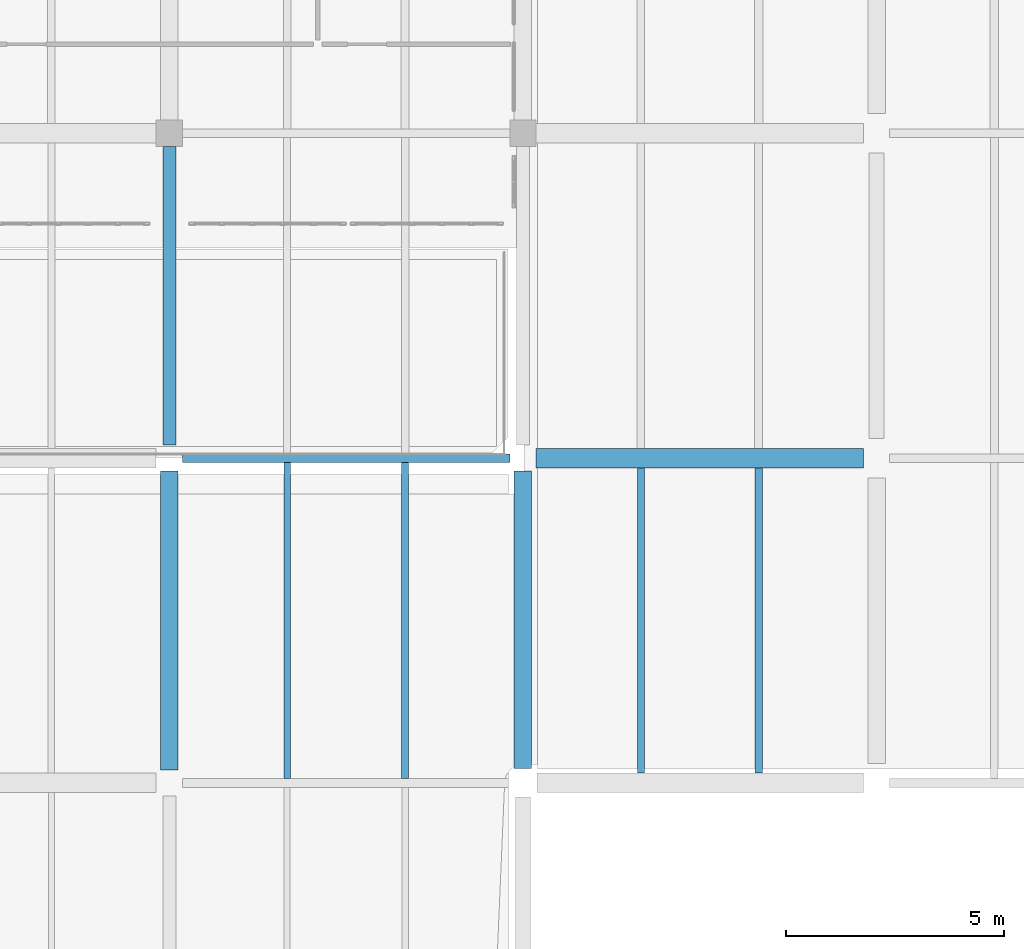
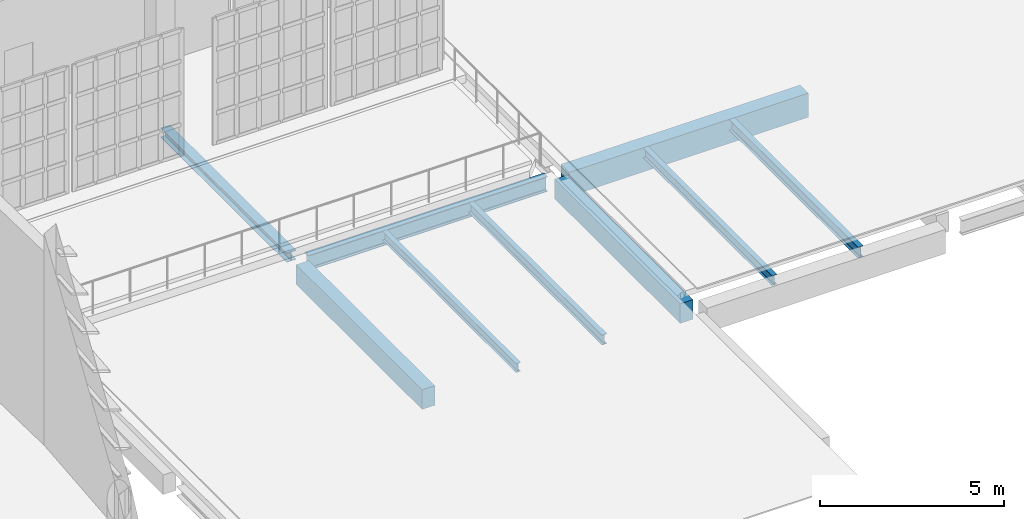
# One storey, part 24 of 73: 9 beams.
"""IFC4 building model written with IfcOpenShell, lengths in metres."""

from ifc_helpers import new_model, si_unit, direction, frame, origin, origin_2d, place, context, subcontext, project, spatial, rectangle, i_section, extrude, material, material_profile, profile_set, type_object, element, save


model = new_model("IFC4")

# Units and contexts
model_context = context("Model", 3, precision=1e-05, world=origin(), true_north=direction((0.0, 1.0)))
body_context = subcontext(model_context, "Body", "Model", "MODEL_VIEW")
ifc_project = project(units=[si_unit("LENGTHUNIT", "METRE"), si_unit("AREAUNIT", "SQUARE_METRE"), si_unit("VOLUMEUNIT", "CUBIC_METRE"), si_unit("PLANEANGLEUNIT", "RADIAN"), si_unit("MASSUNIT", "GRAM", prefix="KILO")], contexts=[model_context])

# Site, building, storey
site_placement = place(None, origin())
site = spatial("IfcSite", under=ifc_project, at=site_placement, CompositionType="ELEMENT")
building_placement = place(site_placement, origin())
building = spatial("IfcBuilding", under=site, at=building_placement, Name="Kaelora Sail Theatre", CompositionType="ELEMENT")
storey_placement = place(building_placement, frame((0.0, 0.0, 10.199951171875)))
storey = spatial("IfcBuildingStorey", under=building, at=storey_placement, Name="L02", CompositionType="ELEMENT", Elevation=10.199951171875)

# Beams
ifc_material_1 = material(Name="Steel S355", Category="steel")
ifc_material_profile_1 = material_profile(ifc_material_1, i_section(OverallWidth=0.300048828125, OverallDepth=0.31005859375, WebThickness=0.009033203125, FlangeThickness=0.015380859375, FilletRadius=0.027099609375, at=origin_2d()), Name="HEA 320")
ifc_profile_set_1 = profile_set([ifc_material_profile_1], Name="Steel S355")
beam_type_1 = type_object("IfcBeamType", Name="STR-BM-BM-HEA320", PredefinedType="BEAM", material=ifc_profile_set_1)
beam_1_placement = place(storey_placement, frame((114.89990234375, 61.320068359375, -0.449951171875), z_axis=(0.0, 1.0, 0.0), x_axis=(-1.0, 0.0, 0.0)))
element("IfcBeam", 1, at=beam_1_placement, inside=storey, type_object=beam_type_1, Name="Primary beam 15 I-J (L02)", PredefinedType="BEAM", context=body_context, shape_type="SweptSolid", body=[
    extrude(i_section(OverallWidth=0.300048828125, OverallDepth=0.31005859375, WebThickness=0.009033203125, FlangeThickness=0.015380859375, FilletRadius=0.027099609375, at=origin_2d()), origin(), (0.0, 0.0, 1.0), 6.83984375),
])
ifc_material_2 = material(Name="Steel S355", Category="steel")
ifc_material_profile_2 = material_profile(ifc_material_2, i_section(OverallWidth=0.199951171875, OverallDepth=0.5, WebThickness=0.01025390625, FlangeThickness=0.01611328125, FilletRadius=0.02099609375, at=origin_2d()), Name="IPE 500")
ifc_profile_set_2 = profile_set([ifc_material_profile_2], Name="Steel S355")
beam_type_2 = type_object("IfcBeamType", Name="STR-BM-BM-IPE500", PredefinedType="BEAM", material=ifc_profile_set_2)
beam_2_placement = place(storey_placement, frame((115.199951171875, 61.02001953125, -0.544921875), z_axis=(1.0, 0.0, 0.0), x_axis=(0.0, 1.0, 0.0)))
element("IfcBeam", 2, at=beam_2_placement, inside=storey, type_object=beam_type_2, Name="Primary beam I 15-16 (L02)", PredefinedType="BEAM", context=body_context, shape_type="SweptSolid", body=[
    extrude(i_section(OverallWidth=0.199951171875, OverallDepth=0.5, WebThickness=0.01025390625, FlangeThickness=0.01611328125, FilletRadius=0.02099609375, at=origin_2d()), origin(), (0.0, 0.0, 1.0), 7.5),
])
ifc_material_3 = material(Name="Concrete C40/50", Category="concrete")
ifc_material_profile_3 = material_profile(ifc_material_3, rectangle(XDim=0.39990234375, YDim=0.64990234375, at=origin_2d()), Name="RC-BM 400x650")
ifc_profile_set_3 = profile_set([ifc_material_profile_3], Name="Concrete C40/50")
beam_type_3 = type_object("IfcBeamType", Name="STR-BM-BM-RC4065", PredefinedType="BEAM", material=ifc_profile_set_3)
beam_3_placement = place(storey_placement, frame((114.89990234375, 53.8798828125, -0.619873046875), z_axis=(0.0, 1.0, 0.0), x_axis=(-1.0, 0.0, 0.0)))
element("IfcBeam", 3, at=beam_3_placement, inside=storey, type_object=beam_type_3, Name="Primary beam 15 H-I (L02)", PredefinedType="BEAM", context=body_context, shape_type="SweptSolid", body=[
    extrude(rectangle(XDim=0.39990234375, YDim=0.64990234375, at=origin_2d()), origin(), (0.0, 0.0, 1.0), 6.840087890625),
])
beam_4_placement = place(storey_placement, frame((123.0, 53.905029296875, -0.619873046875), z_axis=(0.0, 1.0, 0.0), x_axis=(-1.0, 0.0, 0.0)))
element("IfcBeam", 4, at=beam_4_placement, inside=storey, type_object=beam_type_3, Name="Primary beam 16 H-I (L02)", PredefinedType="BEAM", context=body_context, shape_type="SweptSolid", body=[
    extrude(rectangle(XDim=0.39990234375, YDim=0.64990234375, at=origin_2d()), origin(), (0.0, 0.0, 1.0), 6.81494140625),
])
ifc_material_4 = material(Name="Concrete C45/55", Category="concrete")
ifc_material_profile_4 = material_profile(ifc_material_4, rectangle(XDim=0.449951171875, YDim=0.800048828125, at=origin_2d()), Name="RC-BM 450x800")
ifc_profile_set_4 = profile_set([ifc_material_profile_4], Name="Concrete C45/55")
beam_type_4 = type_object("IfcBeamType", Name="STR-BM-BM-RC4580", PredefinedType="BEAM", material=ifc_profile_set_4)
beam_5_placement = place(storey_placement, frame((123.300048828125, 61.02001953125, -0.695068359375), z_axis=(1.0, 0.0, 0.0), x_axis=(0.0, 1.0, 0.0)))
element("IfcBeam", 5, at=beam_5_placement, inside=storey, type_object=beam_type_4, Name="Primary beam I 16-17 (L02)", PredefinedType="BEAM", context=body_context, shape_type="SweptSolid", body=[
    extrude(rectangle(XDim=0.449951171875, YDim=0.800048828125, at=origin_2d()), origin(), (0.0, 0.0, 1.0), 7.5),
])
ifc_material_5 = material(Name="Steel S355", Category="steel")
ifc_material_profile_5 = material_profile(ifc_material_5, i_section(OverallWidth=0.14990234375, OverallDepth=0.300048828125, WebThickness=0.007080078125, FlangeThickness=0.0107421875, FilletRadius=0.014892578125, at=origin_2d()), Name="IPE 300")
ifc_profile_set_5 = profile_set([ifc_material_profile_5], Name="Steel S355")
beam_type_5 = type_object("IfcBeamType", Name="STR-BM-JS-IPE300", PredefinedType="JOIST", material=ifc_profile_set_5)
beam_6_placement = place(storey_placement, frame((117.60009765625, 53.679931640625, -0.445068359375), z_axis=(0.0, 1.0, 0.0), x_axis=(-1.0, 0.0, 0.0)))
element("IfcBeam", 6, at=beam_6_placement, inside=storey, type_object=beam_type_5, Name="Secondary floor joist 15/H-1 (L02)", PredefinedType="JOIST", context=body_context, shape_type="SweptSolid", body=[
    extrude(i_section(OverallWidth=0.14990234375, OverallDepth=0.300048828125, WebThickness=0.007080078125, FlangeThickness=0.0107421875, FilletRadius=0.014892578125, at=origin_2d()), origin(), (0.0, 0.0, 1.0), 7.239990234375),
])
ifc_material_6 = material(Name="Steel S355", Category="steel")
ifc_material_profile_6 = material_profile(ifc_material_6, i_section(OverallWidth=0.159912109375, OverallDepth=0.330078125, WebThickness=0.007568359375, FlangeThickness=0.011474609375, FilletRadius=0.01806640625, at=origin_2d()), Name="IPE 330")
ifc_profile_set_6 = profile_set([ifc_material_profile_6], Name="Steel S355")
beam_type_6 = type_object("IfcBeamType", Name="STR-BM-JS-IPE330", PredefinedType="JOIST", material=ifc_profile_set_6)
beam_7_placement = place(storey_placement, frame((120.300048828125, 53.679931640625, -0.4599609375), z_axis=(0.0, 1.0, 0.0), x_axis=(-1.0, 0.0, 0.0)))
element("IfcBeam", 7, at=beam_7_placement, inside=storey, type_object=beam_type_6, Name="Secondary floor joist 15/H-2 (L02)", PredefinedType="JOIST", context=body_context, shape_type="SweptSolid", body=[
    extrude(i_section(OverallWidth=0.159912109375, OverallDepth=0.330078125, WebThickness=0.007568359375, FlangeThickness=0.011474609375, FilletRadius=0.01806640625, at=origin_2d()), origin(), (0.0, 0.0, 1.0), 7.239990234375),
])
beam_8_placement = place(storey_placement, frame((125.699951171875, 53.804931640625, -0.4599609375), z_axis=(0.0, 1.0, 0.0), x_axis=(-1.0, 0.0, 0.0)))
element("IfcBeam", 8, at=beam_8_placement, inside=storey, type_object=beam_type_6, Name="Secondary floor joist 16/H-1 (L02)", PredefinedType="JOIST", context=body_context, shape_type="SweptSolid", body=[
    extrude(i_section(OverallWidth=0.159912109375, OverallDepth=0.330078125, WebThickness=0.007568359375, FlangeThickness=0.011474609375, FilletRadius=0.01806640625, at=origin_2d()), origin(), (0.0, 0.0, 1.0), 6.989990234375),
])
ifc_material_7 = material(Name="Steel S355", Category="steel")
ifc_material_profile_7 = material_profile(ifc_material_7, i_section(OverallWidth=0.169921875, OverallDepth=0.360107421875, WebThickness=0.008056640625, FlangeThickness=0.0126953125, FilletRadius=0.01806640625, at=origin_2d()), Name="IPE 360")
ifc_profile_set_7 = profile_set([ifc_material_profile_7], Name="Steel S355")
beam_type_7 = type_object("IfcBeamType", Name="STR-BM-JS-IPE360", PredefinedType="JOIST", material=ifc_profile_set_7)
beam_9_placement = place(storey_placement, frame((128.39990234375, 53.804931640625, -0.474853515625), z_axis=(0.0, 1.0, 0.0), x_axis=(-1.0, 0.0, 0.0)))
element("IfcBeam", 9, at=beam_9_placement, inside=storey, type_object=beam_type_7, Name="Secondary floor joist 16/H-2 (L02)", PredefinedType="JOIST", context=body_context, shape_type="SweptSolid", body=[
    extrude(i_section(OverallWidth=0.169921875, OverallDepth=0.360107421875, WebThickness=0.008056640625, FlangeThickness=0.0126953125, FilletRadius=0.01806640625, at=origin_2d()), origin(), (0.0, 0.0, 1.0), 6.989990234375),
])

save(model, "model.ifc")
